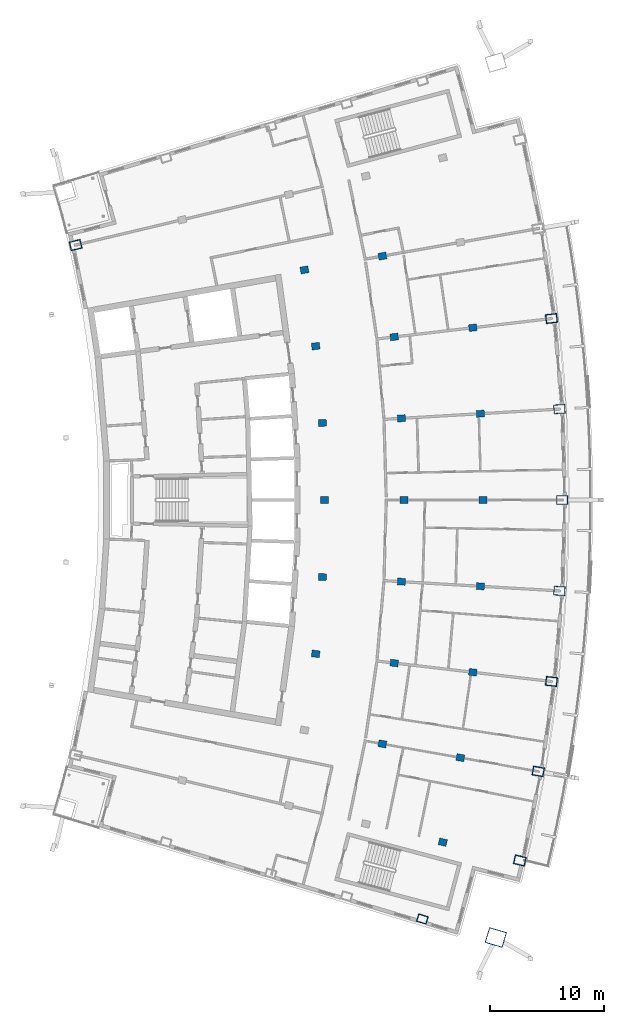
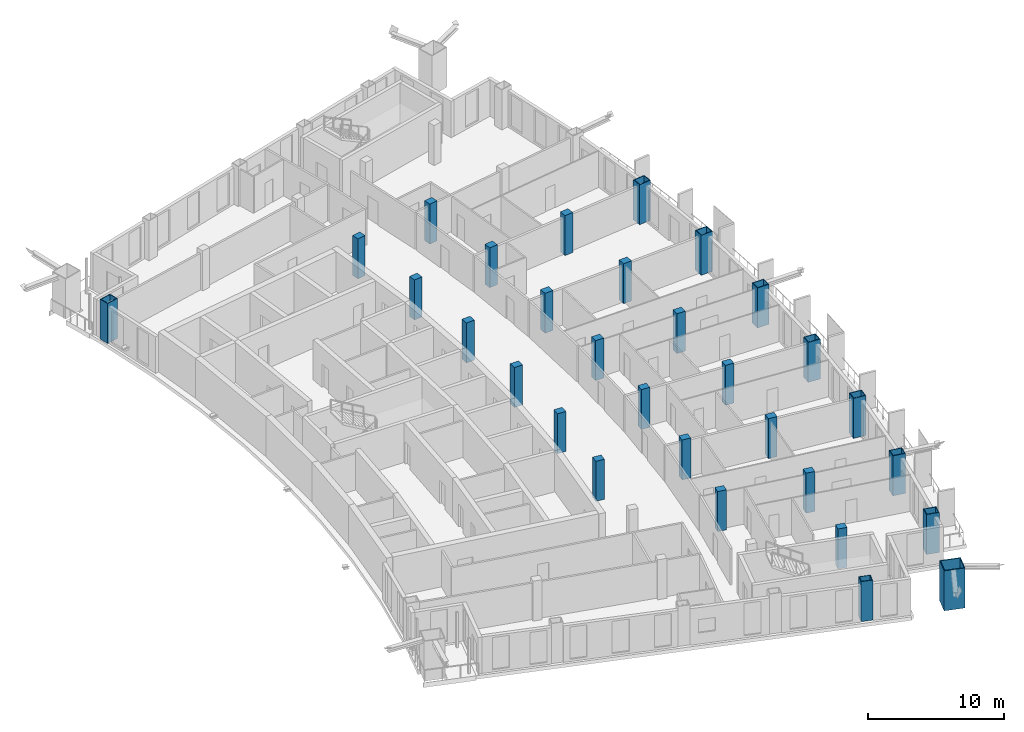
# One storey, part 4 of 20: 30 columns.
"""IFC4 building model written with IfcOpenShell, lengths in metres."""

from ifc_helpers import new_model, si_unit, direction, frame, origin, origin_2d, place, context, subcontext, project, spatial, rectangle, hollow_rectangle, extrude, material, material_profile, profile_set, type_object, element, save


model = new_model("IFC4")

# Units and contexts
model_context = context("Model", 3, precision=1e-05, world=origin(), true_north=direction((0.0, 1.0)))
body_context = subcontext(model_context, "Body", "Model", "MODEL_VIEW")
ifc_project = project(units=[si_unit("LENGTHUNIT", "METRE"), si_unit("AREAUNIT", "SQUARE_METRE"), si_unit("VOLUMEUNIT", "CUBIC_METRE"), si_unit("PLANEANGLEUNIT", "RADIAN"), si_unit("MASSUNIT", "GRAM", prefix="KILO")], contexts=[model_context])

# Site, building, storey
site_placement = place(None, origin())
site = spatial("IfcSite", under=ifc_project, at=site_placement, CompositionType="ELEMENT")
building_placement = place(site_placement, origin())
building = spatial("IfcBuilding", under=site, at=building_placement, Name="Alderwake Tower", CompositionType="ELEMENT")
storey_placement = place(building_placement, frame((0.0, 0.0, 263.60009765625)))
storey = spatial("IfcBuildingStorey", under=building, at=storey_placement, Name="L65", CompositionType="ELEMENT", Elevation=263.60009765625)

# Columns
ifc_material_1 = material(Name="Steel ASTM A572 Grade 50 concrete filled C70/85", Category="concrete")
ifc_material_profile_1 = material_profile(ifc_material_1, hollow_rectangle(XDim=0.699951171875, YDim=0.89990234375, WallThickness=0.050048828125, at=origin_2d()), Name="BOX 900X700X50")
ifc_profile_set_1 = profile_set([ifc_material_profile_1], Name="Steel ASTM A572 Grade 50 concrete filled C70/85")
column_type_1 = type_object("IfcColumnType", Name="End column Z5", PredefinedType="COLUMN", material=ifc_profile_set_1)
column_1_placement = place(storey_placement, frame((44.361572265625, 24.28955078125, 0.0), z_axis=(0.0, 0.0, 1.0), x_axis=(0.28311490023, 0.95908599889, 0.0)))
element("IfcColumn", 1, at=column_1_placement, inside=storey, type_object=column_type_1, Name="Column R02-C4", PredefinedType="COLUMN", context=body_context, shape_type="SweptSolid", body=[
    extrude(hollow_rectangle(XDim=0.699951171875, YDim=0.89990234375, WallThickness=0.050048828125, at=origin_2d()), origin(), (0.0, 0.0, 1.0), 3.599853515625),
])
ifc_material_2 = material(Name="Concrete C70/85", Category="concrete")
ifc_material_profile_2 = material_profile(ifc_material_2, rectangle(XDim=0.60009765625, YDim=0.699951171875, at=origin_2d()), Name="RC 700X600")
ifc_profile_set_2 = profile_set([ifc_material_profile_2], Name="Concrete C70/85")
column_type_2 = type_object("IfcColumnType", Name="Interior column Z5", PredefinedType="COLUMN", material=ifc_profile_set_2)
for number, where, z_axis, x_axis, name in (
    (2, (46.15283203125, 31.018310546875, 0.0), (0.0, 0.0, 1.0), (0.231221547198, 0.972901123502, 0.0), "Column R03-C4"),
    (3, (40.858642578125, 39.631103515625, 0.0), (0.0, 0.0, 1.0), (0.174108800747, 0.984726421654, 0.0), "Column R04-C3"),
    (4, (47.686279296875, 38.424072265625, 0.0), (0.0, 0.0, 1.0), (0.174108800747, 0.984726421654, 0.0), "Column R04-C4"),
    (5, (35.0126953125, 47.5205078125, 0.0), (0.0, 0.0, 1.0), (0.116402054316, 0.993202175668, 0.0), "Column R05-C2"),
    (6, (41.89892578125, 46.713623046875, 0.0), (0.0, 0.0, 1.0), (0.116402054316, 0.993202175668, 0.0), "Column R05-C3"),
    (7, (48.78515625, 45.906494140625, 0.0), (0.0, 0.0, 1.0), (0.116402054316, 0.993202175668, 0.0), "Column R05-C4"),
    (8, (35.60302734375, 54.248779296875, 0.0), (0.0, 0.0, 1.0), (0.058301061284, 0.998299046505, 0.0), "Column R06-C2"),
    (9, (42.5244140625, 53.844482421875, 0.0), (0.0, 0.0, 1.0), (0.058301061284, 0.998299046505, 0.0), "Column R06-C3"),
    (10, (49.446044921875, 53.4404296875, 0.0), (0.0, 0.0, 1.0), (0.058301061284, 0.998299046505, 0.0), "Column R06-C4"),
    (11, (35.800048828125, 61.0, 0.0), (0.0, 0.0, 1.0), (0.0, 1.0, 0.0), "Column R07-C2"),
    (12, (42.7333984375, 61.0, 0.0), (0.0, 0.0, 1.0), (0.0, 1.0, 0.0), "Column R07-C3"),
    (13, (49.666748046875, 61.0, 0.0), (0.0, 0.0, 1.0), (0.0, 1.0, 0.0), "Column R07-C4"),
    (14, (35.60302734375, 67.751220703125, 0.0), (0.0, 0.0, 1.0), (-0.058301061284, 0.998299046505, 0.0), "Column R08-C2"),
    (15, (42.5244140625, 68.155517578125, 0.0), (0.0, 0.0, 1.0), (-0.058301061284, 0.998299046505, 0.0), "Column R08-C3"),
    (16, (49.446044921875, 68.5595703125, 0.0), (0.0, 0.0, 1.0), (-0.058301061284, 0.998299046505, 0.0), "Column R08-C4"),
    (17, (35.0126953125, 74.4794921875, 0.0), (0.0, 0.0, 1.0), (-0.116402054316, 0.993202175668, 0.0), "Column R09-C2"),
    (18, (41.89892578125, 75.286376953125, 0.0), (0.0, 0.0, 1.0), (-0.116402054316, 0.993202175668, 0.0), "Column R09-C3"),
    (19, (48.78515625, 76.093505859375, 0.0), (0.0, 0.0, 1.0), (-0.116402054316, 0.993202175668, 0.0), "Column R09-C4"),
    (20, (34.03125, 81.16162109375, 0.0), (0.0, 0.0, 1.0), (-0.174108800747, 0.984726421654, 0.0), "Column R10-C2"),
    (21, (40.858642578125, 82.368896484375, 0.0), (0.0, 0.0, 1.0), (-0.174108800747, 0.984726421654, 0.0), "Column R10-C3"),
):
    element("IfcColumn", number, at=place(storey_placement, frame(where, z_axis=z_axis, x_axis=x_axis)), inside=storey, type_object=column_type_2, Name=name, PredefinedType="COLUMN", context=body_context, shape_type="SweptSolid", body=[
        extrude(rectangle(XDim=0.60009765625, YDim=0.699951171875, at=origin_2d()), origin(), (0.0, 0.0, 1.0), 3.599853515625),
    ])
ifc_material_3 = material(Name="Steel ASTM A572 Grade 50 concrete filled C70/85", Category="concrete")
ifc_material_profile_3 = material_profile(ifc_material_3, hollow_rectangle(XDim=1.39990234375, YDim=1.60009765625, WallThickness=0.070068359375, at=origin_2d()), Name="BOX 1600X1400X70")
ifc_profile_set_3 = profile_set([ifc_material_profile_3], Name="Steel ASTM A572 Grade 50 concrete filled C70/85")
column_type_3 = type_object("IfcColumnType", Name="Mega column Z5", PredefinedType="COLUMN", material=ifc_profile_set_3)
column_2_placement = place(storey_placement, frame((50.798828125, 22.66796875, 0.0), z_axis=(0.0, 0.0, 1.0), x_axis=(0.281232869624, 0.959639553709, 0.0)))
element("IfcColumn", 22, at=column_2_placement, inside=storey, type_object=column_type_3, Name="Column R02-C5", PredefinedType="COLUMN", context=body_context, shape_type="SweptSolid", body=[
    extrude(hollow_rectangle(XDim=1.39990234375, YDim=1.60009765625, WallThickness=0.070068359375, at=origin_2d()), origin(), (0.0, 0.0, 1.0), 3.599853515625),
])
ifc_material_4 = material(Name="Steel ASTM A572 Grade 50 concrete filled C70/85", Category="concrete")
ifc_material_profile_4 = material_profile(ifc_material_4, hollow_rectangle(XDim=0.800048828125, YDim=1.0, WallThickness=0.054931640625, at=origin_2d()), Name="BOX 1000X800X55")
ifc_profile_set_4 = profile_set([ifc_material_profile_4], Name="Steel ASTM A572 Grade 50 concrete filled C70/85")
column_type_4 = type_object("IfcColumnType", Name="Perimeter column Z5", PredefinedType="COLUMN", material=ifc_profile_set_4)
for number, where, z_axis, x_axis, name in (
    (23, (52.898193359375, 29.4150390625, 0.0), (0.0, 0.0, 1.0), (0.231221547198, 0.972901123502, 0.0), "Column R03-C5"),
    (24, (54.513671875, 37.216796875, 0.0), (0.0, 0.0, 1.0), (0.174108800747, 0.984726421654, 0.0), "Column R04-C5"),
    (25, (55.67138671875, 45.099609375, 0.0), (0.0, 0.0, 1.0), (0.116402054316, 0.993202175668, 0.0), "Column R05-C5"),
    (26, (56.36767578125, 53.0361328125, 0.0), (0.0, 0.0, 1.0), (0.058299318924, 0.998299148258, 0.0), "Column R06-C5"),
    (27, (56.60009765625, 61.0, 0.0), (0.0, 0.0, 1.0), (0.0, 1.0, 0.0), "Column R07-C5"),
    (28, (56.36767578125, 68.9638671875, 0.0), (0.0, 0.0, 1.0), (-0.058299318924, 0.998299148258, 0.0), "Column R08-C5"),
    (29, (55.67138671875, 76.900390625, 0.0), (0.0, 0.0, 1.0), (-0.116402054316, 0.993202175668, 0.0), "Column R09-C5"),
    (30, (13.982177734375, 83.3359375, 0.0), (0.0, 0.0, 1.0), (-0.231221547198, 0.972901123502, 0.0), "Column R11-C0"),
):
    element("IfcColumn", number, at=place(storey_placement, frame(where, z_axis=z_axis, x_axis=x_axis)), inside=storey, type_object=column_type_4, Name=name, PredefinedType="COLUMN", context=body_context, shape_type="SweptSolid", body=[
        extrude(hollow_rectangle(XDim=0.800048828125, YDim=1.0, WallThickness=0.054931640625, at=origin_2d()), origin(), (0.0, 0.0, 1.0), 3.599853515625),
    ])

save(model, "model.ifc")
